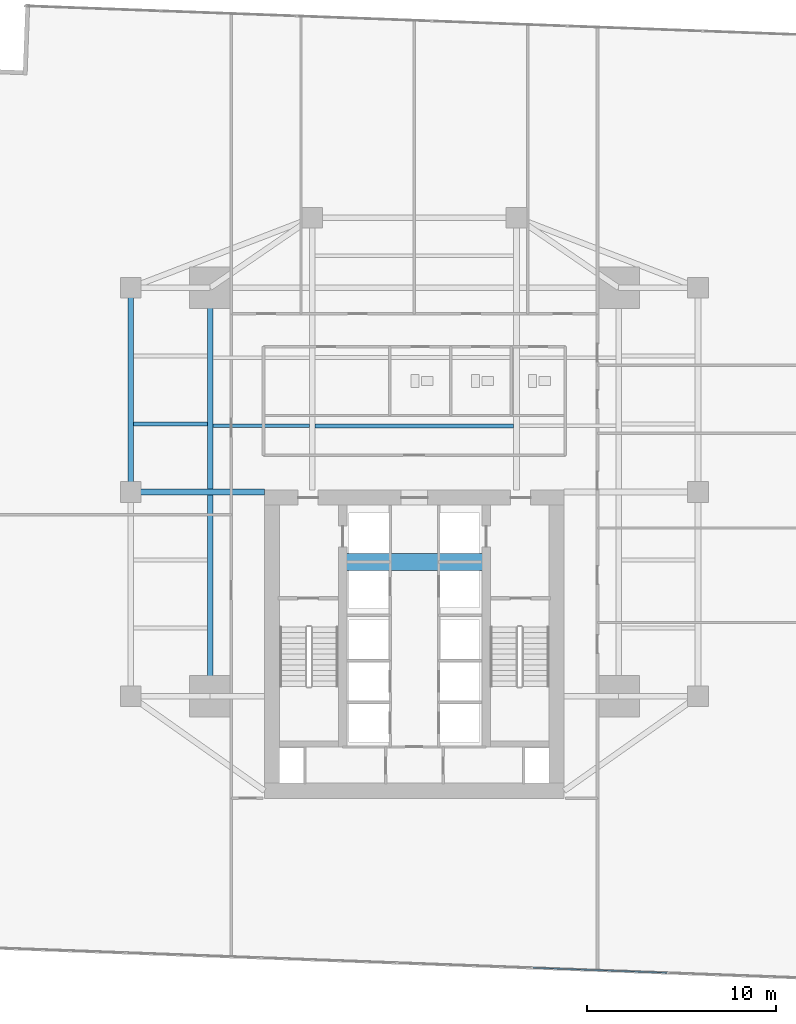
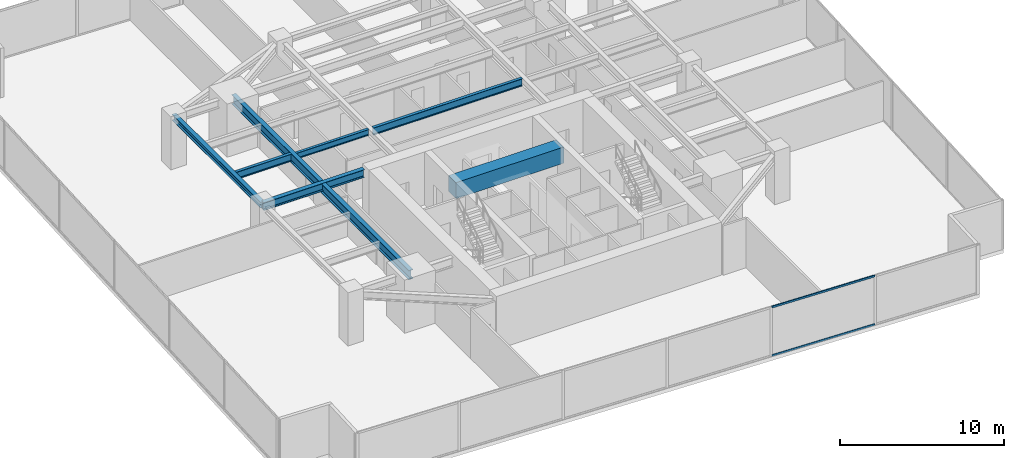
# One storey, part 11 of 30: 7 beams, 2 members, 1 element without a shape of its own.
"""IFC4 building model written with IfcOpenShell, lengths in metres."""

from ifc_helpers import new_model, si_unit, direction, frame, origin, origin_2d, place, context, subcontext, project, spatial, rectangle, hollow_rectangle, i_section, extrude, source, transform, mapped, material, material_profile, profile_set, type_object, type_shapes, element, aggregate, save


model = new_model("IFC4")

# Units and contexts
model_context = context("Model", 3, precision=1e-05, world=origin(), true_north=direction((0.0, 1.0)))
body_context = subcontext(model_context, "Body", "Model", "MODEL_VIEW")
ifc_project = project(units=[si_unit("LENGTHUNIT", "METRE"), si_unit("AREAUNIT", "SQUARE_METRE"), si_unit("VOLUMEUNIT", "CUBIC_METRE"), si_unit("PLANEANGLEUNIT", "RADIAN"), si_unit("MASSUNIT", "GRAM", prefix="KILO")], contexts=[model_context])

# Site, building, storey
site_placement = place(None, origin())
site = spatial("IfcSite", under=ifc_project, at=site_placement, CompositionType="ELEMENT")
building_placement = place(site_placement, origin())
building = spatial("IfcBuilding", under=site, at=building_placement, Name="Krantzveldt Concourse Tower", CompositionType="ELEMENT")
storey_placement = place(building_placement, frame((0.0, 0.0, 40.800048828125)))
storey = spatial("IfcBuildingStorey", under=building, at=storey_placement, Name="L09", CompositionType="ELEMENT", Elevation=40.800048828125)

# Beams
ifc_material_1 = material(Name="Concrete C50/60", Category="concrete")
ifc_material_profile_1 = material_profile(ifc_material_1, rectangle(XDim=0.89990234375, YDim=1.199951171875, at=origin_2d()), Name="Concrete C50/60", Category="concrete")
ifc_profile_set_1 = profile_set([ifc_material_profile_1], Name="Concrete C50/60 - RC-CB 900x1200")
beam_type_1 = type_object("IfcBeamType", Name="BM-CB-1200", PredefinedType="LINTEL", material=ifc_profile_set_1)
shared_shape_1 = source(origin(), body_context, "Body", "SweptSolid", [
    extrude(rectangle(XDim=0.89990234375, YDim=1.199951171875, at=origin_2d()), origin(), (0.0, 0.0, 1.0), 7.580078125),
])
type_shapes(beam_type_1, [shared_shape_1])
beam_1_placement = place(storey_placement, frame((32.2099609375, 23.0, 3.070068359375), z_axis=(1.0, 0.0, 0.0), x_axis=(0.0, 1.0, 0.0)))
element("IfcBeam", 1, at=beam_1_placement, inside=storey, type_object=beam_type_1, Name="CB-L09-01", PredefinedType="LINTEL", context=body_context, shape_type="MappedRepresentation", body=[
    mapped(shared_shape_1, transform((0.0, 0.0, 0.0), x_axis=(1.0, 0.0, 0.0), y_axis=(0.0, 1.0, 0.0), z_axis=(0.0, 0.0, 1.0), scale=1.0)),
])
ifc_material_2 = material(Name="Steel S355J2", Category="steel")
ifc_material_profile_2 = material_profile(ifc_material_2, i_section(OverallWidth=0.300048828125, OverallDepth=0.699951171875, WebThickness=0.01708984375, FlangeThickness=0.031982421875, FilletRadius=0.027099609375, at=origin_2d()), Name="Steel S355J2", Category="steel")
ifc_profile_set_2 = profile_set([ifc_material_profile_2], Name="Steel S355J2 - HEB 700")
beam_type_2 = type_object("IfcBeamType", Name="BM-B-HEB700", PredefinedType="BEAM", material=ifc_profile_set_2)
shared_shape_2 = source(origin(), body_context, "Body", "SweptSolid", [
    extrude(i_section(OverallWidth=0.300048828125, OverallDepth=0.699951171875, WebThickness=0.01708984375, FlangeThickness=0.031982421875, FilletRadius=0.027099609375, at=origin_2d()), origin(), (0.0, 0.0, 1.0), 21.60009765625),
])
type_shapes(beam_type_2, [shared_shape_2])
beam_2_placement = place(storey_placement, frame((25.199951171875, 15.89990234375, 3.320068359375), z_axis=(0.0, 1.0, 0.0), x_axis=(-1.0, 0.0, 0.0)))
element("IfcBeam", 2, at=beam_2_placement, inside=storey, type_object=beam_type_2, Name="L09 Tower Girder BG-MW", PredefinedType="BEAM", context=body_context, shape_type="MappedRepresentation", body=[
    mapped(shared_shape_2, transform((0.0, 0.0, 0.0), x_axis=(1.0, 0.0, 0.0), y_axis=(0.0, 1.0, 0.0), z_axis=(0.0, 0.0, 1.0), scale=1.0)),
])
ifc_material_3 = material(Name="Steel S355JR", Category="steel")
ifc_material_profile_3 = material_profile(ifc_material_3, i_section(OverallWidth=0.300048828125, OverallDepth=0.590087890625, WebThickness=0.012939453125, FlangeThickness=0.02490234375, FilletRadius=0.027099609375, at=origin_2d()), Name="Steel S355JR", Category="steel")
ifc_profile_set_3 = profile_set([ifc_material_profile_3], Name="Steel S355JR - HEA 600")
beam_type_3 = type_object("IfcBeamType", Name="BM-B-HEA600", PredefinedType="BEAM", material=ifc_profile_set_3)
shared_shape_3 = source(origin(), body_context, "Body", "SweptSolid", [
    extrude(i_section(OverallWidth=0.300048828125, OverallDepth=0.590087890625, WebThickness=0.012939453125, FlangeThickness=0.02490234375, FilletRadius=0.027099609375, at=origin_2d()), origin(), (0.0, 0.0, 1.0), 7.080078125),
])
type_shapes(beam_type_3, [shared_shape_3])
beam_3_placement = place(storey_placement, frame((21.0, 26.699951171875, 3.375), z_axis=(1.0, 0.0, 0.0), x_axis=(0.0, 1.0, 0.0)))
element("IfcBeam", 3, at=beam_3_placement, inside=storey, type_object=beam_type_3, Name="L09 Tower Girder BG-CW2", PredefinedType="BEAM", context=body_context, shape_type="MappedRepresentation", body=[
    mapped(shared_shape_3, transform((0.0, 0.0, 0.0), x_axis=(1.0, 0.0, 0.0), y_axis=(0.0, 1.0, 0.0), z_axis=(0.0, 0.0, 1.0), scale=1.0)),
])
ifc_material_profile_4 = material_profile(ifc_material_3, i_section(OverallWidth=0.300048828125, OverallDepth=0.43994140625, WebThickness=0.011474609375, FlangeThickness=0.02099609375, FilletRadius=0.027099609375, at=origin_2d()), Name="Steel S355JR", Category="steel")
ifc_profile_set_4 = profile_set([ifc_material_profile_4], Name="Steel S355JR - HEA 450")
beam_type_4 = type_object("IfcBeamType", Name="BM-SP-HEA450", PredefinedType="SPANDREL", material=ifc_profile_set_4)
shared_shape_4 = source(origin(), body_context, "Body", "SweptSolid", [
    extrude(i_section(OverallWidth=0.300048828125, OverallDepth=0.43994140625, WebThickness=0.011474609375, FlangeThickness=0.02099609375, FilletRadius=0.027099609375, at=origin_2d()), origin(), (0.0, 0.0, 1.0), 10.800048828125),
])
type_shapes(beam_type_4, [shared_shape_4])
beam_4_placement = place(storey_placement, frame((21.0, 26.699951171875, 3.449951171875), z_axis=(0.0, 1.0, 0.0), x_axis=(-1.0, 0.0, 0.0)))
element("IfcBeam", 4, at=beam_4_placement, inside=storey, type_object=beam_type_4, Name="L09 Tower Girder SP-R02", PredefinedType="SPANDREL", context=body_context, shape_type="MappedRepresentation", body=[
    mapped(shared_shape_4, transform((0.0, 0.0, 0.0), x_axis=(1.0, 0.0, 0.0), y_axis=(0.0, 1.0, 0.0), z_axis=(0.0, 0.0, 1.0), scale=1.0)),
])
ifc_material_profile_5 = material_profile(ifc_material_3, i_section(OverallWidth=0.2099609375, OverallDepth=0.550048828125, WebThickness=0.010986328125, FlangeThickness=0.01708984375, FilletRadius=0.02392578125, at=origin_2d()), Name="Steel S355JR", Category="steel")
ifc_profile_set_5 = profile_set([ifc_material_profile_5], Name="Steel S355JR - IPE 550")
beam_type_5 = type_object("IfcBeamType", Name="BM-J-IPE550", PredefinedType="JOIST", material=ifc_profile_set_5)
shared_shape_5 = source(origin(), body_context, "Body", "SweptSolid", [
    extrude(i_section(OverallWidth=0.2099609375, OverallDepth=0.550048828125, WebThickness=0.010986328125, FlangeThickness=0.01708984375, FilletRadius=0.02392578125, at=origin_2d()), origin(), (0.0, 0.0, 1.0), 10.5),
])
beam_5_placement = place(storey_placement, frame((30.75, 30.199951171875, 3.39501953125), z_axis=(1.0, 0.0, 0.0), x_axis=(0.0, 1.0, 0.0)))
element("IfcBeam", 5, at=beam_5_placement, inside=storey, type_object=beam_type_5, Name="L09 Secondary Floor Joist JN-C1", PredefinedType="JOIST", context=body_context, shape_type="MappedRepresentation", body=[
    mapped(shared_shape_5, transform((0.0, 0.0, 0.0), x_axis=(1.0, 0.0, 0.0), y_axis=(0.0, 1.0, 0.0), z_axis=(0.0, 0.0, 1.0), scale=1.0)),
])
ifc_material_profile_6 = material_profile(ifc_material_3, i_section(OverallWidth=0.18994140625, OverallDepth=0.449951171875, WebThickness=0.009521484375, FlangeThickness=0.0146484375, FilletRadius=0.02099609375, at=origin_2d()), Name="Steel S355JR", Category="steel")
ifc_profile_set_6 = profile_set([ifc_material_profile_6], Name="Steel S355JR - IPE 450")
beam_type_6 = type_object("IfcBeamType", Name="BM-J-IPE450", PredefinedType="JOIST", material=ifc_profile_set_6)
shared_shape_6 = source(origin(), body_context, "Body", "SweptSolid", [
    extrude(i_section(OverallWidth=0.18994140625, OverallDepth=0.449951171875, WebThickness=0.009521484375, FlangeThickness=0.0146484375, FilletRadius=0.02099609375, at=origin_2d()), origin(), (0.0, 0.0, 1.0), 5.099853515625),
])
type_shapes(beam_type_6, [shared_shape_6])
beam_6_placement = place(storey_placement, frame((25.35009765625, 30.199951171875, 3.445068359375), z_axis=(1.0, 0.0, 0.0), x_axis=(0.0, 1.0, 0.0)))
element("IfcBeam", 6, at=beam_6_placement, inside=storey, type_object=beam_type_6, Name="L09 Secondary Floor Joist JN-W1", PredefinedType="JOIST", context=body_context, shape_type="MappedRepresentation", body=[
    mapped(shared_shape_6, transform((0.0, 0.0, 0.0), x_axis=(1.0, 0.0, 0.0), y_axis=(0.0, 1.0, 0.0), z_axis=(0.0, 0.0, 1.0), scale=1.0)),
])
shared_shape_7 = source(origin(), body_context, "Body", "SweptSolid", [
    extrude(i_section(OverallWidth=0.2099609375, OverallDepth=0.550048828125, WebThickness=0.010986328125, FlangeThickness=0.01708984375, FilletRadius=0.02392578125, at=origin_2d()), origin(), (0.0, 0.0, 1.0), 3.900146484375),
])
type_shapes(beam_type_5, [shared_shape_5, shared_shape_7])
beam_7_placement = place(storey_placement, frame((21.14990234375, 30.300048828125, 3.39501953125), z_axis=(1.0, 0.0, 0.0), x_axis=(0.0, 1.0, 0.0)))
element("IfcBeam", 7, at=beam_7_placement, inside=storey, type_object=beam_type_5, Name="L09 Secondary Floor Joist JW-3", PredefinedType="JOIST", context=body_context, shape_type="MappedRepresentation", body=[
    mapped(shared_shape_7, transform((0.0, 0.0, 0.0), x_axis=(1.0, 0.0, 0.0), y_axis=(0.0, 1.0, 0.0), z_axis=(0.0, 0.0, 1.0), scale=1.0)),
])

# Curtain wall, members
ifc_material_4 = material(Name="Anodised aluminium 6063-T6", Category="aluminium")
curtain_wall_type = type_object("IfcCurtainWallType", Name="CW2", PredefinedType="USERDEFINED", material=ifc_material_4)
curtain_wall_placement = place(storey_placement, origin())
curtain_wall = element("IfcCurtainWall", 8, at=curtain_wall_placement, inside=storey, type_object=curtain_wall_type, Name="CW-L09-F04", ObjectType="UNITISED CURTAIN WALL", PredefinedType="USERDEFINED")
ifc_material_profile_7 = material_profile(ifc_material_4, hollow_rectangle(XDim=0.070068359375, YDim=0.139892578125, WallThickness=0.0048828125, at=origin_2d()), Name="Anodised aluminium 6063-T6", Category="aluminium")
ifc_profile_set_7 = profile_set([ifc_material_profile_7], Name="Anodised aluminium 6063-T6 - ALU-TRAN 140x70x5")
member_type = type_object("IfcMemberType", Name="CW-TRN-150", PredefinedType="USERDEFINED", material=ifc_profile_set_7)
shared_shape_8 = source(origin(), body_context, "Body", "SweptSolid", [
    extrude(hollow_rectangle(XDim=0.070068359375, YDim=0.139892578125, WallThickness=0.0048828125, at=origin_2d()), origin(), (0.0, 0.0, 1.0), 7.0966796875),
])
type_shapes(member_type, [shared_shape_8])
member_1_placement = place(storey_placement, frame((42.27294921875, 1.5400390625, 0.034912109375), z_axis=(0.999312097724, -0.037085459975, 0.0), x_axis=(0.037085459975, 0.999312097724, 0.0)))
member_1 = element("IfcMember", 9, at=member_1_placement, type_object=member_type, Name="CW-Z12 transom 5.1", ObjectType="TRANSOM", PredefinedType="USERDEFINED", context=body_context, shape_type="MappedRepresentation", body=[
    mapped(shared_shape_8, transform((0.0, 0.0, 0.0), x_axis=(1.0, 0.0, 0.0), y_axis=(0.0, 1.0, 0.0), z_axis=(0.0, 0.0, 1.0), scale=1.0)),
])
member_2_placement = place(storey_placement, frame((42.27294921875, 1.5400390625, 3.635009765625), z_axis=(0.999312097724, -0.037085459975, 0.0), x_axis=(0.037085459975, 0.999312097724, 0.0)))
member_2 = element("IfcMember", 10, at=member_2_placement, type_object=member_type, Name="CW-Z12 transom 5.2", ObjectType="TRANSOM", PredefinedType="USERDEFINED", context=body_context, shape_type="MappedRepresentation", body=[
    mapped(shared_shape_8, transform((0.0, 0.0, 0.0), x_axis=(1.0, 0.0, 0.0), y_axis=(0.0, 1.0, 0.0), z_axis=(0.0, 0.0, 1.0), scale=1.0)),
])
aggregate(curtain_wall, [member_1, member_2])

save(model, "model.ifc")
